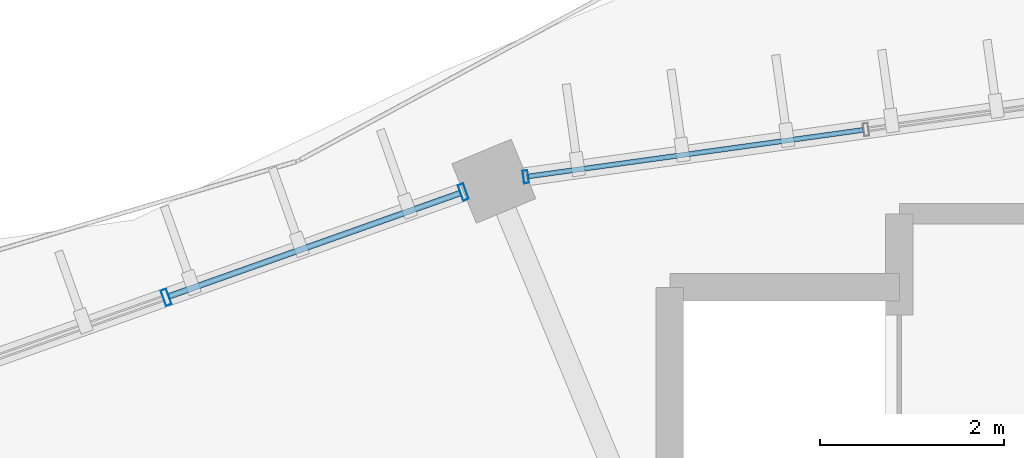
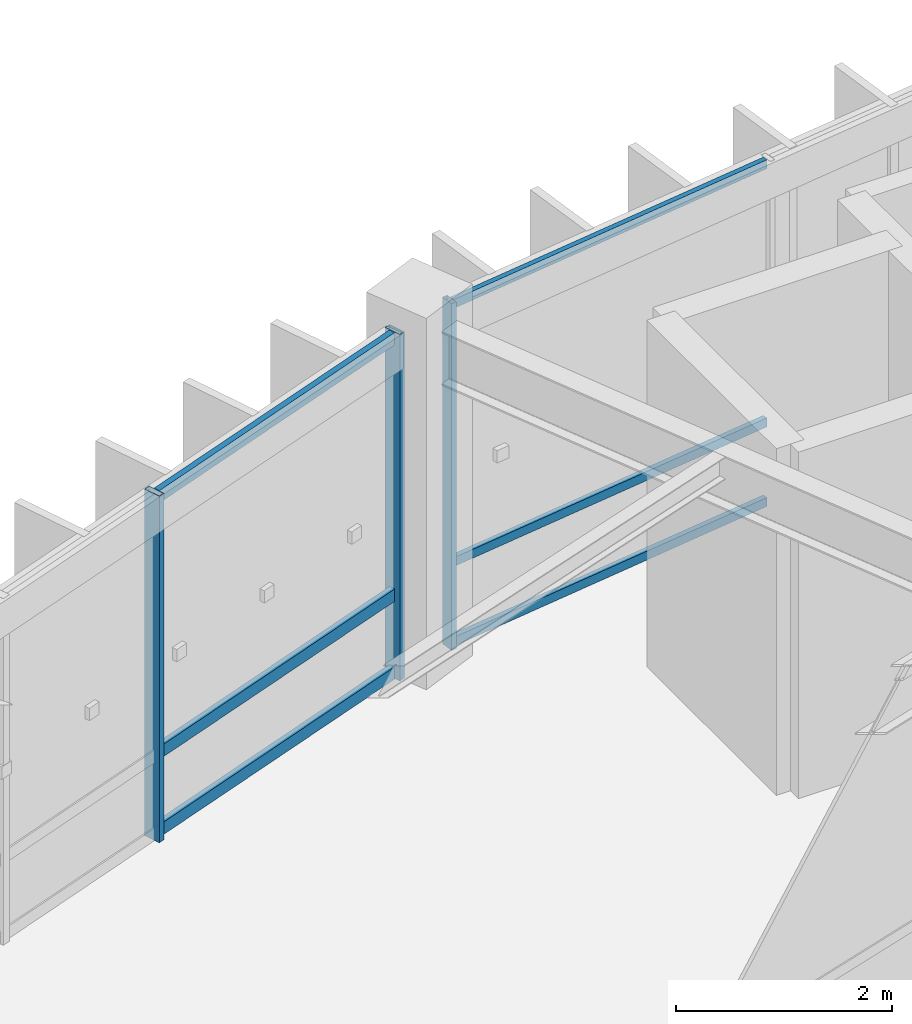
# One storey, part 64 of 138: 9 members, 2 elements without a shape of their own.
"""IFC4 building model written with IfcOpenShell, lengths in metres."""

from ifc_helpers import new_model, si_unit, direction, frame, origin, origin_2d, place, context, subcontext, project, spatial, hollow_rectangle, extrude, material, material_profile, profile_set, type_object, element, aggregate, save


model = new_model("IFC4")

# Units and contexts
model_context = context("Model", 3, precision=1e-05, world=origin(), true_north=direction((0.0, 1.0)))
body_context = subcontext(model_context, "Body", "Model", "MODEL_VIEW")
ifc_project = project(units=[si_unit("LENGTHUNIT", "METRE"), si_unit("AREAUNIT", "SQUARE_METRE"), si_unit("VOLUMEUNIT", "CUBIC_METRE"), si_unit("PLANEANGLEUNIT", "RADIAN"), si_unit("MASSUNIT", "GRAM", prefix="KILO"), si_unit("THERMODYNAMICTEMPERATUREUNIT", "KELVIN"), si_unit("POWERUNIT", "WATT")], contexts=[model_context])

# Site, building, storey
site_placement = place(None, origin())
site = spatial("IfcSite", under=ifc_project, at=site_placement, CompositionType="ELEMENT")
building_placement = place(site_placement, origin())
building = spatial("IfcBuilding", under=site, at=building_placement, Name="Darbajah Civic Hall", CompositionType="ELEMENT")
storey_placement = place(building_placement, frame((0.0, 0.0, 9.60009765625)))
storey = spatial("IfcBuildingStorey", under=building, at=storey_placement, Name="L02", CompositionType="ELEMENT", Elevation=9.60009765625)

# Curtain wall, member
ifc_material_1 = material(Name="Anodised Bronze Aluminium and Low-E Glazing", Category="aluminium")
curtain_wall_type_1 = type_object("IfcCurtainWallType", Name="Unitised Curtain Wall CW-42 15000x3900", PredefinedType="USERDEFINED", material=ifc_material_1)
curtain_wall_1_placement = place(storey_placement, origin())
curtain_wall_1 = element("IfcCurtainWall", 1, at=curtain_wall_1_placement, inside=storey, type_object=curtain_wall_type_1, Name="L02 unitised curtain wall CW-V1O-L02-05", ObjectType="UNITISED CURTAIN WALL", PredefinedType="USERDEFINED")
ifc_material_2 = material(Name="Anodised Bronze Aluminium", Category="aluminium")
ifc_material_profile_1 = material_profile(ifc_material_2, hollow_rectangle(XDim=0.054931640625, YDim=0.139892578125, WallThickness=0.003173828125, at=origin_2d()), Name="ALU MULLION 55x140")
ifc_profile_set_1 = profile_set([ifc_material_profile_1], Name="Anodised Bronze Aluminium")
member_type_1 = type_object("IfcMemberType", Name="ALU MULLION 55x140", PredefinedType="MULLION", material=ifc_profile_set_1)
member_1_placement = place(storey_placement, frame((69.931884765625, 117.102783203125, 0.0), z_axis=(0.0, 0.0, 1.0), x_axis=(-0.990485459553, -0.137617420457, 0.0)))
member_1 = element("IfcMember", 2, at=member_1_placement, type_object=member_type_1, Name="CW-V1O-L02-05 mullion 5", PredefinedType="MULLION", context=body_context, shape_type="SweptSolid", body=[
    extrude(hollow_rectangle(XDim=0.054931640625, YDim=0.139892578125, WallThickness=0.003173828125, at=origin_2d()), origin(), (0.0, 0.0, 1.0), 3.919921875),
])

# Curtain wall, members
curtain_wall_type_2 = type_object("IfcCurtainWallType", Name="Unitised Curtain Wall CW-24 13700x3900", PredefinedType="USERDEFINED", material=ifc_material_1)
curtain_wall_2_placement = place(storey_placement, origin())
curtain_wall_2 = element("IfcCurtainWall", 3, at=curtain_wall_2_placement, inside=storey, type_object=curtain_wall_type_2, Name="L02 unitised curtain wall CW-V1O-L02-06", ObjectType="UNITISED CURTAIN WALL", PredefinedType="USERDEFINED")
ifc_material_profile_2 = material_profile(ifc_material_2, hollow_rectangle(XDim=0.06494140625, YDim=0.179931640625, WallThickness=0.00390625, at=origin_2d()), Name="ALU MULLION 65x180")
ifc_profile_set_2 = profile_set([ifc_material_profile_2], Name="Anodised Bronze Aluminium")
member_type_2 = type_object("IfcMemberType", Name="ALU MULLION 65x180", PredefinedType="MULLION", material=ifc_profile_set_2)
member_2_placement = place(storey_placement, frame((69.251220703125, 116.936767578125, 0.0), z_axis=(0.0, 0.0, 1.0), x_axis=(-0.94252491309, -0.334135882844, 0.0)))
member_2 = element("IfcMember", 4, at=member_2_placement, type_object=member_type_2, Name="CW-V1O-L02-06 mullion 1", PredefinedType="MULLION", context=body_context, shape_type="SweptSolid", body=[
    extrude(hollow_rectangle(XDim=0.06494140625, YDim=0.179931640625, WallThickness=0.00390625, at=origin_2d()), origin(), (0.0, 0.0, 1.0), 3.919921875),
])
member_3_placement = place(storey_placement, frame((66.01611328125, 115.7900390625, 0.0), z_axis=(0.0, 0.0, 1.0), x_axis=(-0.94252491309, -0.334135882844, 0.0)))
member_3 = element("IfcMember", 5, at=member_3_placement, type_object=member_type_2, Name="CW-V1O-L02-06 mullion 2", PredefinedType="MULLION", context=body_context, shape_type="SweptSolid", body=[
    extrude(hollow_rectangle(XDim=0.06494140625, YDim=0.179931640625, WallThickness=0.00390625, at=origin_2d()), origin(), (0.0, 0.0, 1.0), 3.919921875),
])

# Member
ifc_material_profile_3 = material_profile(ifc_material_2, hollow_rectangle(XDim=0.054931640625, YDim=0.10009765625, WallThickness=0.0029296875, at=origin_2d()), Name="ALU TRANSOM 55x100")
ifc_profile_set_3 = profile_set([ifc_material_profile_3], Name="Anodised Bronze Aluminium")
member_type_3 = type_object("IfcMemberType", Name="ALU TRANSOM 55x100", PredefinedType="USERDEFINED", material=ifc_profile_set_3)
member_4_placement = place(storey_placement, frame((73.60400390625, 117.61279296875, 0.0498046875), z_axis=(-0.990498558696, -0.137523107955, 0.0), x_axis=(0.137523107955, -0.990498558696, 0.0)))
member_4 = element("IfcMember", 6, at=member_4_placement, type_object=member_type_3, Name="CW-V1O-L02-05 transom 4.1", ObjectType="TRANSOM", PredefinedType="USERDEFINED", context=body_context, shape_type="SweptSolid", body=[
    extrude(hollow_rectangle(XDim=0.054931640625, YDim=0.10009765625, WallThickness=0.0029296875, at=origin_2d()), origin(), (0.0, 0.0, 1.0), 3.6748046875),
])

member_5_placement = place(storey_placement, frame((73.60400390625, 117.61279296875, 0.949951171875), z_axis=(-0.990498558696, -0.137523107955, 0.0), x_axis=(0.137523107955, -0.990498558696, 0.0)))
member_5 = element("IfcMember", 7, at=member_5_placement, type_object=member_type_3, Name="CW-V1O-L02-05 transom 4.2", ObjectType="TRANSOM", PredefinedType="USERDEFINED", context=body_context, shape_type="SweptSolid", body=[
    extrude(hollow_rectangle(XDim=0.054931640625, YDim=0.10009765625, WallThickness=0.0029296875, at=origin_2d()), origin(), (0.0, 0.0, 1.0), 3.6748046875),
])

member_6_placement = place(storey_placement, frame((73.60400390625, 117.61279296875, 3.869873046875), z_axis=(-0.990498558696, -0.137523107955, 0.0), x_axis=(0.137523107955, -0.990498558696, 0.0)))
member_6 = element("IfcMember", 8, at=member_6_placement, type_object=member_type_3, Name="CW-V1O-L02-05 transom 4.3", ObjectType="TRANSOM", PredefinedType="USERDEFINED", context=body_context, shape_type="SweptSolid", body=[
    extrude(hollow_rectangle(XDim=0.054931640625, YDim=0.10009765625, WallThickness=0.0029296875, at=origin_2d()), origin(), (0.0, 0.0, 1.0), 3.6748046875),
])

aggregate(curtain_wall_1, [member_1, member_4, member_5, member_6])

ifc_material_profile_4 = material_profile(ifc_material_2, hollow_rectangle(XDim=0.06494140625, YDim=0.139892578125, WallThickness=0.00341796875, at=origin_2d()), Name="ALU TRANSOM 65x140")
ifc_profile_set_4 = profile_set([ifc_material_profile_4], Name="Anodised Bronze Aluminium")
member_type_4 = type_object("IfcMemberType", Name="ALU TRANSOM 65x140", PredefinedType="USERDEFINED", material=ifc_profile_set_4)
member_7_placement = place(storey_placement, frame((69.216064453125, 116.92431640625, 0.06982421875), z_axis=(-0.942537095742, -0.334101516234, 0.0), x_axis=(0.334101516234, -0.942537095742, 0.0)))
member_7 = element("IfcMember", 9, at=member_7_placement, type_object=member_type_4, Name="CW-V1O-L02-06 transom 1.1", ObjectType="TRANSOM", PredefinedType="USERDEFINED", context=body_context, shape_type="SweptSolid", body=[
    extrude(hollow_rectangle(XDim=0.06494140625, YDim=0.139892578125, WallThickness=0.00341796875, at=origin_2d()), origin(), (0.0, 0.0, 1.0), 3.357666015625),
])

member_8_placement = place(storey_placement, frame((69.216064453125, 116.92431640625, 0.949951171875), z_axis=(-0.942537095742, -0.334101516234, 0.0), x_axis=(0.334101516234, -0.942537095742, 0.0)))
member_8 = element("IfcMember", 10, at=member_8_placement, type_object=member_type_4, Name="CW-V1O-L02-06 transom 1.2", ObjectType="TRANSOM", PredefinedType="USERDEFINED", context=body_context, shape_type="SweptSolid", body=[
    extrude(hollow_rectangle(XDim=0.06494140625, YDim=0.139892578125, WallThickness=0.00341796875, at=origin_2d()), origin(), (0.0, 0.0, 1.0), 3.357666015625),
])

member_9_placement = place(storey_placement, frame((69.216064453125, 116.92431640625, 3.849853515625), z_axis=(-0.942537095742, -0.334101516234, 0.0), x_axis=(0.334101516234, -0.942537095742, 0.0)))
member_9 = element("IfcMember", 11, at=member_9_placement, type_object=member_type_4, Name="CW-V1O-L02-06 transom 1.3", ObjectType="TRANSOM", PredefinedType="USERDEFINED", context=body_context, shape_type="SweptSolid", body=[
    extrude(hollow_rectangle(XDim=0.06494140625, YDim=0.139892578125, WallThickness=0.00341796875, at=origin_2d()), origin(), (0.0, 0.0, 1.0), 3.357666015625),
])

aggregate(curtain_wall_2, [member_2, member_3, member_7, member_8, member_9])

save(model, "model.ifc")
